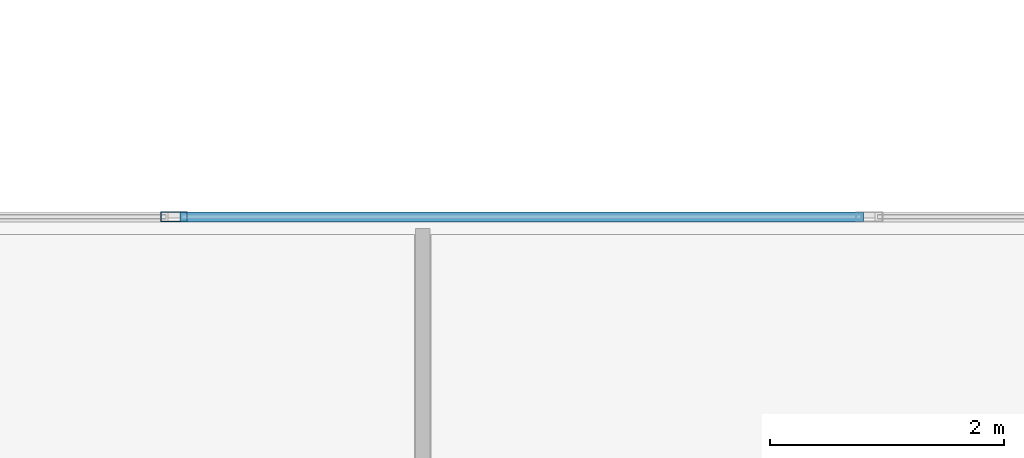
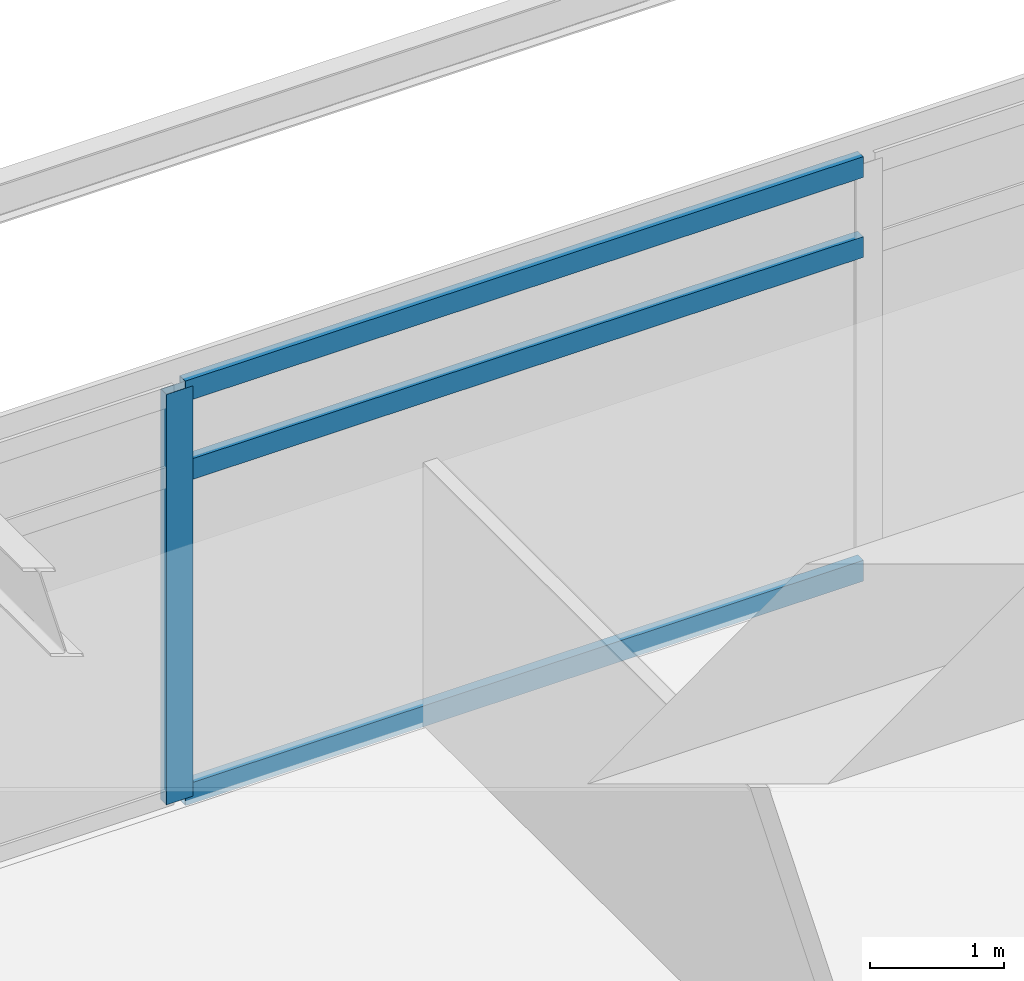
# One storey, part 7 of 21: 4 members, 1 element without a shape of its own.
"""IFC4 building model written with IfcOpenShell, lengths in metres."""

from ifc_helpers import new_model, si_unit, direction, frame, origin, origin_2d, place, context, subcontext, project, spatial, hollow_rectangle, extrude, material, material_profile, profile_set, type_object, element, aggregate, save


model = new_model("IFC4")

# Units and contexts
model_context = context("Model", 3, precision=1e-05, world=origin(), true_north=direction((0.0, 1.0)))
body_context = subcontext(model_context, "Body", "Model", "MODEL_VIEW")
ifc_project = project(units=[si_unit("LENGTHUNIT", "METRE"), si_unit("AREAUNIT", "SQUARE_METRE"), si_unit("VOLUMEUNIT", "CUBIC_METRE"), si_unit("PLANEANGLEUNIT", "RADIAN"), si_unit("MASSUNIT", "GRAM", prefix="KILO")], contexts=[model_context])

# Site, building, storey
site_placement = place(None, origin())
site = spatial("IfcSite", under=ifc_project, at=site_placement, CompositionType="ELEMENT")
building_placement = place(site_placement, origin())
building = spatial("IfcBuilding", under=site, at=building_placement, Name="Kovane Verandah Tower", CompositionType="ELEMENT")
storey_placement = place(building_placement, frame((0.0, 0.0, 314.800048828125)))
storey = spatial("IfcBuildingStorey", under=building, at=storey_placement, Name="L73", CompositionType="ELEMENT", Elevation=314.800048828125)

# Curtain wall, members
ifc_material_1 = material(Name="Champagne Anodised Aluminium Frame with Low-E Clear Laminated Glass", Category="aluminium")
curtain_wall_type = type_object("IfcCurtainWallType", Name="CW-SYS-05-HIGH", PredefinedType="NOTDEFINED", material=ifc_material_1)
curtain_wall_placement = place(storey_placement, origin())
curtain_wall = element("IfcCurtainWall", 1, at=curtain_wall_placement, inside=storey, type_object=curtain_wall_type, Name="L73 N Unitised Curtain Wall", PredefinedType="NOTDEFINED")
ifc_material_2 = material(Name="Champagne Anodised Aluminium 6063-T6", Category="aluminium")
ifc_material_profile_1 = material_profile(ifc_material_2, hollow_rectangle(XDim=0.0849609375, YDim=0.22998046875, WallThickness=0.00390625, at=origin_2d()), Name="AL85x230x4")
ifc_profile_set_1 = profile_set([ifc_material_profile_1], Name="Champagne Anodised Aluminium 6063-T6")
member_type_1 = type_object("IfcMemberType", Name="CW-MUL-85x230", PredefinedType="MULLION", material=ifc_profile_set_1)
member_1_placement = place(storey_placement, frame((31.070068359375, 49.018310546875, 0.02001953125), z_axis=(0.0, 0.0, 1.0), x_axis=(0.0, 1.0, 0.0)))
member_1 = element("IfcMember", 2, at=member_1_placement, type_object=member_type_1, Name="L73 N Unitised Curtain Wall Mullion 6", PredefinedType="MULLION", context=body_context, shape_type="SweptSolid", body=[
    extrude(hollow_rectangle(XDim=0.0849609375, YDim=0.22998046875, WallThickness=0.00390625, at=origin_2d()), origin(), (0.0, 0.0, 1.0), 3.744873046875),
])
ifc_material_profile_2 = material_profile(ifc_material_2, hollow_rectangle(XDim=0.0849609375, YDim=0.18994140625, WallThickness=0.00390625, at=origin_2d()), Name="AL85x190x4")
ifc_profile_set_2 = profile_set([ifc_material_profile_2], Name="Champagne Anodised Aluminium 6063-T6")
member_type_2 = type_object("IfcMemberType", Name="CW-TRN-85x190", PredefinedType="USERDEFINED", material=ifc_profile_set_2)
member_2_placement = place(storey_placement, frame((36.973388671875, 49.018310546875, 0.050048828125), z_axis=(-1.0, 0.0, 0.0), x_axis=(0.0, -1.0, 0.0)))
member_2 = element("IfcMember", 3, at=member_2_placement, type_object=member_type_2, Name="L73 N Unitised Curtain Wall Transom TB Bay 5", ObjectType="TRANSOM", PredefinedType="USERDEFINED", context=body_context, shape_type="SweptSolid", body=[
    extrude(hollow_rectangle(XDim=0.0849609375, YDim=0.18994140625, WallThickness=0.00390625, at=origin_2d()), origin(), (0.0, 0.0, 1.0), 5.853271484375),
])
member_3_placement = place(storey_placement, frame((36.973388671875, 49.018310546875, 3.0048828125), z_axis=(-1.0, 0.0, 0.0), x_axis=(0.0, -1.0, 0.0)))
member_3 = element("IfcMember", 4, at=member_3_placement, type_object=member_type_2, Name="L73 N Unitised Curtain Wall Transom TM Bay 5", ObjectType="TRANSOM", PredefinedType="USERDEFINED", context=body_context, shape_type="SweptSolid", body=[
    extrude(hollow_rectangle(XDim=0.0849609375, YDim=0.18994140625, WallThickness=0.00390625, at=origin_2d()), origin(), (0.0, 0.0, 1.0), 5.853271484375),
])
member_4_placement = place(storey_placement, frame((36.973388671875, 49.018310546875, 3.73486328125), z_axis=(-1.0, 0.0, 0.0), x_axis=(0.0, -1.0, 0.0)))
member_4 = element("IfcMember", 5, at=member_4_placement, type_object=member_type_2, Name="L73 N Unitised Curtain Wall Transom TT Bay 5", ObjectType="TRANSOM", PredefinedType="USERDEFINED", context=body_context, shape_type="SweptSolid", body=[
    extrude(hollow_rectangle(XDim=0.0849609375, YDim=0.18994140625, WallThickness=0.00390625, at=origin_2d()), origin(), (0.0, 0.0, 1.0), 5.853271484375),
])
aggregate(curtain_wall, [member_1, member_2, member_3, member_4])

save(model, "model.ifc")
